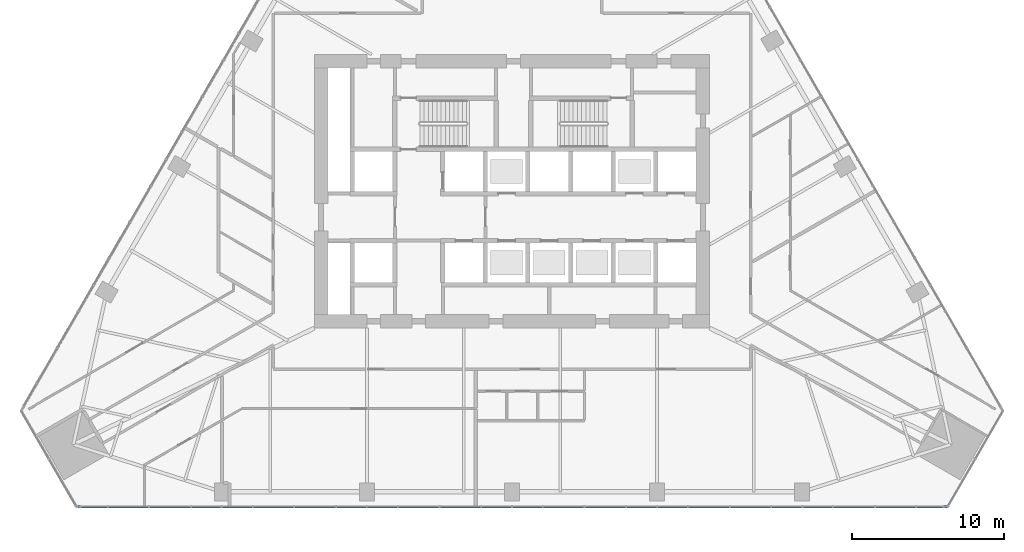
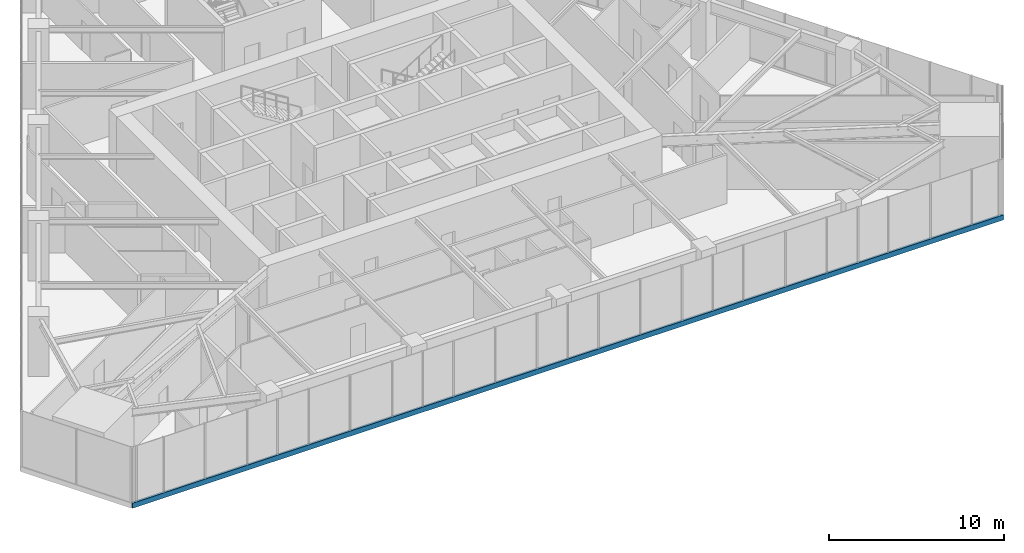
# One storey, part 6 of 25: 1 member, 1 element without a shape of its own.
"""IFC4 building model written with IfcOpenShell, lengths in metres."""

import ifcopenshell
import ifcopenshell.guid

model = None  # the IFC model being written
_history = None  # IfcOwnerHistory: only IFC2X3 demands one
_inside = {}  # id of a spatial element -> (the spatial element, [elements in it])
_under = {}  # id of a project, library or spatial element -> (it, [spatial elements below it])
_declared = {}  # id of a project -> (the project, [libraries it declares])
_typed = {}  # id of a type object -> (the type object, [elements of that type])
_made_of = {}  # id of a material, layer set ... -> (it, [elements and type objects made of it])


def new_model(schema):
    """Start an empty IFC model of exactly this schema.

    Asked for "IFC4X3", IfcOpenShell would pick the latest addendum, in which some entities
    have other attributes; the version numbers below select the first issue.
    IFC2X3 requires an IfcOwnerHistory on every rooted entity: one is made here for all.
    """
    global model, _history
    if schema == "IFC4X3":
        model = ifcopenshell.file(schema_version=(4, 3, 0, 0))
    else:
        model = ifcopenshell.file(schema=schema)
    _inside.clear()
    _under.clear()
    _declared.clear()
    _typed.clear()
    _made_of.clear()
    _history = None
    if model.schema == "IFC2X3":
        org = make("IfcOrganization", Name="unknown")
        user = make(
            "IfcPersonAndOrganization",
            ThePerson=make("IfcPerson", FamilyName="unknown"),
            TheOrganization=org,
        )
        app = make(
            "IfcApplication",
            ApplicationDeveloper=org,
            Version="unknown",
            ApplicationFullName="unknown",
            ApplicationIdentifier="unknown",
        )
        _history = make(
            "IfcOwnerHistory",
            OwningUser=user,
            OwningApplication=app,
            ChangeAction="ADDED",
            CreationDate=0,
        )
    return model


def make(cls, **values):
    """One entity of the class cls with the attributes given. An attribute that is None is left unset."""
    return model.create_entity(
        cls, **{name: value for name, value in values.items() if value is not None}
    )


def rooted(cls, **values):
    """An entity with a GlobalId (a new one), such as an element, a storey or a relation."""
    return make(cls, GlobalId=ifcopenshell.guid.new(), OwnerHistory=_history, **values)


def si_unit(unit_type, name, prefix=None):
    """IfcSIUnit, for example si_unit("LENGTHUNIT", "METRE", prefix="MILLI")."""
    return make("IfcSIUnit", UnitType=unit_type, Prefix=prefix, Name=name)


def assignment(units):
    """IfcUnitAssignment: the units of a project."""
    return None if units is None else make("IfcUnitAssignment", Units=units)


def point(xyz):
    """IfcCartesianPoint."""
    return None if xyz is None else make("IfcCartesianPoint", Coordinates=xyz)


def direction(xyz):
    """IfcDirection."""
    return None if xyz is None else make("IfcDirection", DirectionRatios=xyz)


def frame(location, z_axis=None, x_axis=None):
    """IfcAxis2Placement3D, a coordinate frame: its origin and axes. An axis left out is left unset."""
    return make(
        "IfcAxis2Placement3D",
        Location=point(location),
        Axis=direction(z_axis),
        RefDirection=direction(x_axis),
    )


def frame_2d(location, x_axis=None):
    """IfcAxis2Placement2D, a coordinate frame in the plane: its origin and x axis."""
    return make(
        "IfcAxis2Placement2D", Location=point(location), RefDirection=direction(x_axis)
    )


def origin():
    """The frame at (0, 0, 0) with its axes left unset."""
    return frame((0.0, 0.0, 0.0))


def origin_2d():
    """The frame at (0, 0) in the plane with its x axis left unset."""
    return frame_2d((0.0, 0.0))


def place(relative_to, where):
    """IfcLocalPlacement: puts the frame where relative to a parent placement (None: the world)."""
    return make(
        "IfcLocalPlacement", PlacementRelTo=relative_to, RelativePlacement=where
    )


def context(
    kind, dimensions, precision=None, world=None, true_north=None, identifier=None
):
    """IfcGeometricRepresentationContext, for example the 3D "Model" context."""
    return make(
        "IfcGeometricRepresentationContext",
        ContextIdentifier=identifier,
        ContextType=kind,
        CoordinateSpaceDimension=dimensions,
        Precision=precision,
        WorldCoordinateSystem=world,
        TrueNorth=true_north,
    )


def subcontext(parent, identifier, kind, view, scale=None):
    """IfcGeometricRepresentationSubContext, for example "Body" below "Model"."""
    return make(
        "IfcGeometricRepresentationSubContext",
        ContextIdentifier=identifier,
        ContextType=kind,
        ParentContext=parent,
        TargetScale=scale,
        TargetView=view,
    )


def project(units=None, contexts=None):
    """IfcProject with its units and contexts."""
    return rooted(
        "IfcProject",
        Name="project",
        RepresentationContexts=contexts,
        UnitsInContext=assignment(units),
    )


def spatial(cls, under=None, at=None, **own):
    """A site, building, storey or space (cls), placed at a placement, below another one or the project."""
    s = rooted(cls, ObjectPlacement=at, **own)
    if under is not None:
        _under.setdefault(under.id(), (under, []))[1].append(s)
    return s


def profile(cls, at=None, kind="AREA", **sizes):
    """A parametric profile (cls). Its sizes go by their IFC names, for example OverallWidth=200.0."""
    return make(cls, ProfileType=kind, Position=at, **sizes)


def rectangle(**sizes):
    """IfcRectangleProfileDef."""
    return profile("IfcRectangleProfileDef", **sizes)


def extrude(swept, where, along, depth):
    """IfcExtrudedAreaSolid: the profile swept, set in the frame where, extruded along a direction by depth."""
    return make(
        "IfcExtrudedAreaSolid",
        SweptArea=swept,
        Position=where,
        ExtrudedDirection=direction(along),
        Depth=depth,
    )


def shape(context_of_items, identifier, shape_type, items):
    """IfcShapeRepresentation: the items that make up one representation, for example the "Body"."""
    return make(
        "IfcShapeRepresentation",
        ContextOfItems=context_of_items,
        RepresentationIdentifier=identifier,
        RepresentationType=shape_type,
        Items=items,
    )


def material(Name=None, Category=None):
    """IfcMaterial."""
    return make("IfcMaterial", Name=Name, Category=Category)


def layer(
    of_material, thickness, ventilated=None, Name=None, Category=None, Priority=None
):
    """IfcMaterialLayer: one layer of a wall or slab, of a material (None: an air gap)."""
    return make(
        "IfcMaterialLayer",
        Material=of_material,
        LayerThickness=thickness,
        IsVentilated=ventilated,
        Name=Name,
        Category=Category,
        Priority=Priority,
    )


def layer_set(layers, Name=None):
    """IfcMaterialLayerSet."""
    return make("IfcMaterialLayerSet", MaterialLayers=layers, LayerSetName=Name)


def material_profile(
    of_material, cross_section, Name=None, Category=None, Priority=None
):
    """IfcMaterialProfile: a cross section and its material."""
    return make(
        "IfcMaterialProfile",
        Name=Name,
        Material=of_material,
        Profile=cross_section,
        Priority=Priority,
        Category=Category,
    )


def profile_set(profiles, Name=None, composite=None):
    """IfcMaterialProfileSet."""
    return make(
        "IfcMaterialProfileSet",
        Name=Name,
        MaterialProfiles=profiles,
        CompositeProfile=composite,
    )


def made_of(thing, what):
    """Note that an element or type object is made of a material, layer set ...; save() writes the relation."""
    if what is not None:
        _made_of.setdefault(what.id(), (what, []))[1].append(thing)
    return thing


def type_object(cls, material=None, **own):
    """A type object (cls), such as IfcWallType, which elements share."""
    return made_of(rooted(cls, **own), material)


def element(
    cls,
    number,
    at=None,
    inside=None,
    cuts=None,
    type_object=None,
    material=None,
    context=None,
    identifier="Body",
    shape_type=None,
    held_by="IfcProductDefinitionShape",
    body=None,
    shapes=None,
    **own,
):
    """One element of the class cls, such as IfcWall. Its Tag is "e" and its number.

    at: its placement. inside: the storey or other place that contains it. cuts: it is an
    opening in that element (IfcRelVoidsElement). A single representation is given by context,
    identifier, shape_type and body (its items); several are given by shapes. held_by: the class
    of the entity that holds the representations. save() writes the other relations.
    """
    e = rooted(cls, Tag="e%d" % number, ObjectPlacement=at, **own)
    if body is not None:
        shapes = [shape(context, identifier, shape_type, body)]
    if shapes is not None:
        e.Representation = make(held_by, Representations=shapes)
    if inside is not None:
        _inside.setdefault(inside.id(), (inside, []))[1].append(e)
    if cuts is not None:
        rooted(
            "IfcRelVoidsElement", RelatingBuildingElement=cuts, RelatedOpeningElement=e
        )
    if type_object is not None:
        _typed.setdefault(type_object.id(), (type_object, []))[1].append(e)
    return made_of(e, material)


def aggregate(whole, parts):
    """IfcRelAggregates: a whole, such as a stair, and the parts it consists of."""
    return rooted("IfcRelAggregates", RelatingObject=whole, RelatedObjects=parts)


def save(model, path):
    """Write the relations noted so far, then the file.

    IfcRelAggregates (storeys below a building ...), IfcRelContainedInSpatialStructure (elements
    in a storey), IfcRelDefinesByType, IfcRelAssociatesMaterial and IfcRelDeclares: one each for
    every whole, place, type object, material and project.
    """
    for whole, parts in _under.values():
        aggregate(whole, parts)
    for where, things in _inside.values():
        rooted(
            "IfcRelContainedInSpatialStructure",
            RelatedElements=things,
            RelatingStructure=where,
        )
    for kind, things in _typed.values():
        rooted("IfcRelDefinesByType", RelatedObjects=things, RelatingType=kind)
    for what, things in _made_of.values():
        rooted("IfcRelAssociatesMaterial", RelatedObjects=things, RelatingMaterial=what)
    for by, libraries in _declared.values():
        rooted("IfcRelDeclares", RelatingContext=by, RelatedDefinitions=libraries)
    model.write(path)


model = new_model("IFC4")

# Units and contexts
model_context = context("Model", 3, precision=1e-05, world=origin(), true_north=direction((0.0, 1.0)))
body_context = subcontext(model_context, "Body", "Model", "MODEL_VIEW")
ifc_project = project(units=[si_unit("LENGTHUNIT", "METRE"), si_unit("AREAUNIT", "SQUARE_METRE"), si_unit("VOLUMEUNIT", "CUBIC_METRE"), si_unit("PLANEANGLEUNIT", "RADIAN"), si_unit("MASSUNIT", "GRAM", prefix="KILO")], contexts=[model_context])

# Site, building, storey
site_placement = place(None, origin())
site = spatial("IfcSite", under=ifc_project, at=site_placement, CompositionType="ELEMENT")
building_placement = place(site_placement, origin())
building = spatial("IfcBuilding", under=site, at=building_placement, Name="Firuza Gate Tower and Library", CompositionType="ELEMENT")
storey_placement = place(building_placement, frame((0.0, 0.0, 61.0)))
storey = spatial("IfcBuildingStorey", under=building, at=storey_placement, Name="L13", CompositionType="ELEMENT", Elevation=61.0)

# Curtain wall, member
ifc_material_1 = material(Name="Aluminium 6063-T6", Category="aluminium")
ifc_layer = layer(ifc_material_1, 0.14990234375)
ifc_layer_set = layer_set([ifc_layer], Name="Unitised curtain wall, offices")
curtain_wall_type = type_object("IfcCurtainWallType", Name="Unitised curtain wall, offices", PredefinedType="NOTDEFINED", material=ifc_layer_set)
curtain_wall_placement = place(storey_placement, origin())
curtain_wall = element("IfcCurtainWall", 1, at=curtain_wall_placement, inside=storey, type_object=curtain_wall_type, Name="CW1 L13 S face", PredefinedType="NOTDEFINED")
ifc_material_2 = material(Name="Aluminium 6063-T6", Category="aluminium")
ifc_material_profile = material_profile(ifc_material_2, rectangle(XDim=0.14990234375, YDim=0.35009765625, at=origin_2d()))
ifc_profile_set = profile_set([ifc_material_profile], Name="Aluminium 6063-T6")
member_type = type_object("IfcMemberType", Name="Curtain wall transom 350x150", PredefinedType="USERDEFINED", material=ifc_profile_set)
member_placement = place(storey_placement, frame((46.353271484375, 54.25390625, -0.02490234375), z_axis=(1.0, 0.0, 0.0), x_axis=(0.0, 1.0, 0.0)))
member = element("IfcMember", 2, at=member_placement, type_object=member_type, Name="Transom", ObjectType="TRANSOM", PredefinedType="USERDEFINED", context=body_context, shape_type="SweptSolid", body=[
    extrude(rectangle(XDim=0.14990234375, YDim=0.35009765625, at=origin_2d()), origin(), (0.0, 0.0, 1.0), 57.29345703125),
])
aggregate(curtain_wall, [member])

save(model, "model.ifc")
